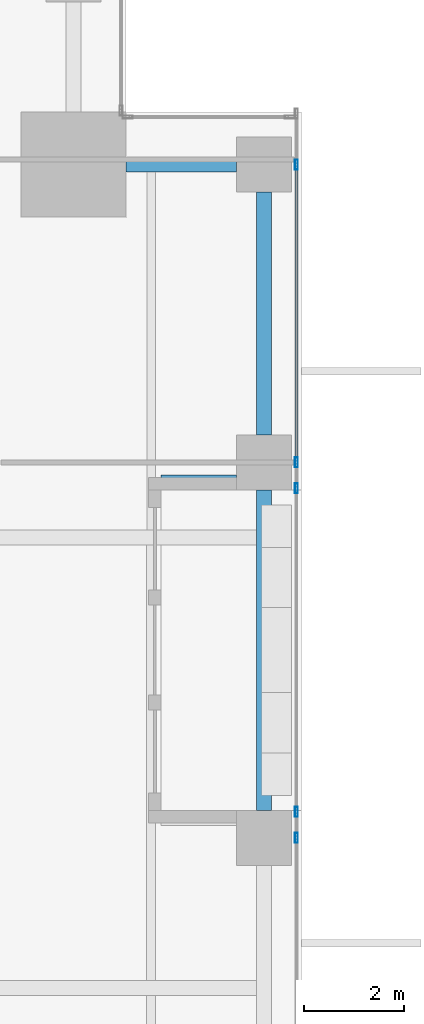
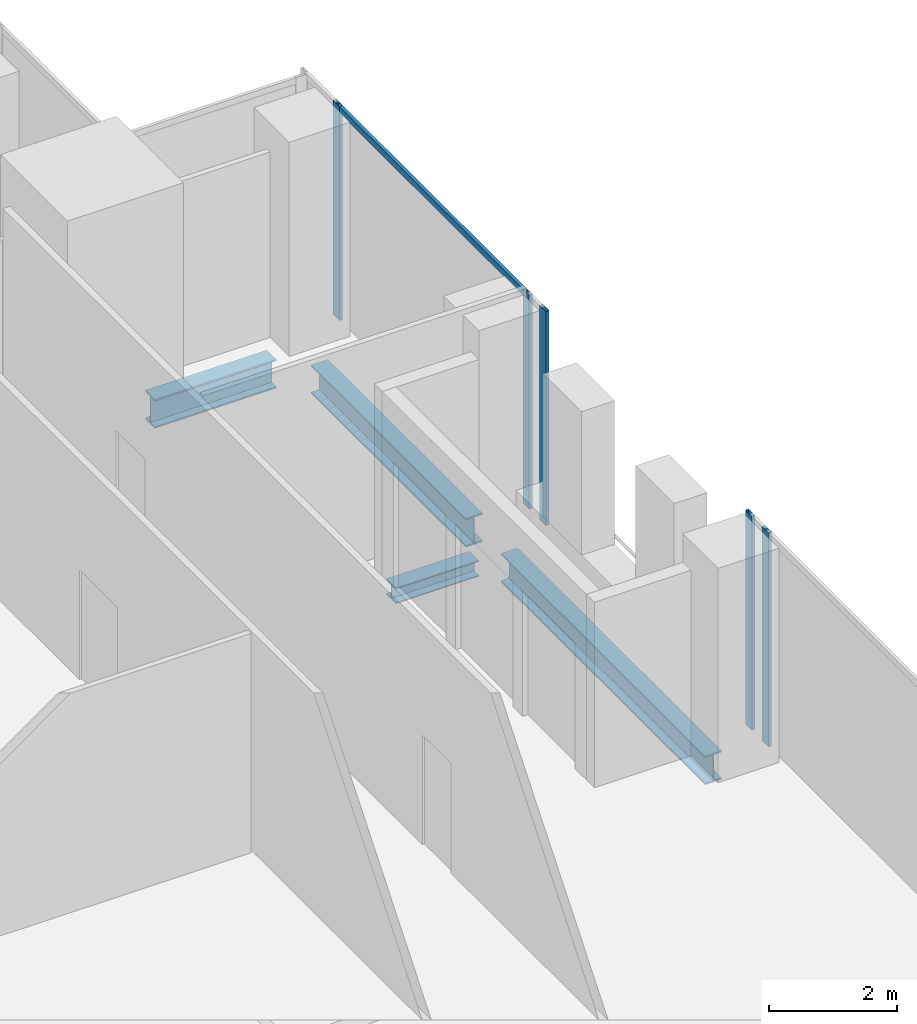
# One storey, part 20 of 35: 6 members, 4 beams, 2 elements without a shape of their own.
"""IFC4 building model written with IfcOpenShell, lengths in metres."""

from ifc_helpers import new_model, si_unit, direction, frame, origin, origin_2d, place, context, subcontext, project, spatial, hollow_rectangle, i_section, extrude, source, transform, mapped, material, material_profile, profile_set, type_object, element, aggregate, save


model = new_model("IFC4")

# Units and contexts
model_context = context("Model", 3, precision=1e-05, world=origin(), true_north=direction((0.0, 1.0)))
body_context = subcontext(model_context, "Body", "Model", "MODEL_VIEW")
ifc_project = project(units=[si_unit("LENGTHUNIT", "METRE"), si_unit("AREAUNIT", "SQUARE_METRE"), si_unit("VOLUMEUNIT", "CUBIC_METRE"), si_unit("PLANEANGLEUNIT", "RADIAN"), si_unit("MASSUNIT", "GRAM", prefix="KILO")], contexts=[model_context])

# Site, building, storey
site_placement = place(None, origin())
site = spatial("IfcSite", under=ifc_project, at=site_placement, CompositionType="ELEMENT")
building_placement = place(site_placement, origin())
building = spatial("IfcBuilding", under=site, at=building_placement, Name="Khomas Fold Tower", CompositionType="ELEMENT")
storey_placement = place(building_placement, frame((0.0, 0.0, 132.300048828125)))
storey = spatial("IfcBuildingStorey", under=building, at=storey_placement, Name="L28", CompositionType="ELEMENT", Elevation=132.300048828125)

# Beams
ifc_material_1 = material(Name="Steel S355", Category="steel")
ifc_material_profile_1 = material_profile(ifc_material_1, i_section(OverallWidth=0.300048828125, OverallDepth=0.550048828125, WebThickness=0.014892578125, FlangeThickness=0.029052734375, at=origin_2d()), Name="HE 550 B")
ifc_profile_set_1 = profile_set([ifc_material_profile_1], Name="Steel S355")
beam_type_1 = type_object("IfcBeamType", Name="HE 550 B spandrel SB2", PredefinedType="SPANDREL", material=ifc_profile_set_1)
shared_shape_1 = source(origin(), body_context, "Body", "SweptSolid", [
    extrude(i_section(OverallWidth=0.300048828125, OverallDepth=0.550048828125, WebThickness=0.014892578125, FlangeThickness=0.029052734375, at=origin_2d()), origin(), (0.0, 0.0, 1.0), 4.849853515625),
])
beam_1_placement = place(storey_placement, frame((51.75, 42.550048828125, -0.574951171875), z_axis=(0.0, 1.0, 0.0), x_axis=(-1.0, 0.0, 0.0)))
element("IfcBeam", 1, at=beam_1_placement, inside=storey, type_object=beam_type_1, Name="SB2", PredefinedType="SPANDREL", context=body_context, shape_type="MappedRepresentation", body=[
    mapped(shared_shape_1, transform((0.0, 0.0, 0.0))),
])
shared_shape_2 = source(origin(), body_context, "Body", "SweptSolid", [
    extrude(i_section(OverallWidth=0.300048828125, OverallDepth=0.550048828125, WebThickness=0.014892578125, FlangeThickness=0.029052734375, at=origin_2d()), origin(), (0.0, 0.0, 1.0), 6.39990234375),
])
beam_2_placement = place(storey_placement, frame((51.75, 35.050048828125, -0.574951171875), z_axis=(0.0, 1.0, 0.0), x_axis=(-1.0, 0.0, 0.0)))
element("IfcBeam", 2, at=beam_2_placement, inside=storey, type_object=beam_type_1, Name="SB2", PredefinedType="SPANDREL", context=body_context, shape_type="MappedRepresentation", body=[
    mapped(shared_shape_2, transform((0.0, 0.0, 0.0))),
])
shared_shape_3 = source(origin(), body_context, "Body", "SweptSolid", [
    extrude(i_section(OverallWidth=0.300048828125, OverallDepth=0.550048828125, WebThickness=0.014892578125, FlangeThickness=0.029052734375, at=origin_2d()), origin(), (0.0, 0.0, 1.0), 2.199951171875),
])
beam_3_placement = place(storey_placement, frame((49.0, 47.949951171875, -0.574951171875), z_axis=(1.0, 0.0, 0.0), x_axis=(0.0, 1.0, 0.0)))
element("IfcBeam", 3, at=beam_3_placement, inside=storey, type_object=beam_type_1, Name="SB2", PredefinedType="SPANDREL", context=body_context, shape_type="MappedRepresentation", body=[
    mapped(shared_shape_3, transform((0.0, 0.0, 0.0))),
])
ifc_material_2 = material(Name="Steel S355", Category="steel")
ifc_material_profile_2 = material_profile(ifc_material_2, i_section(OverallWidth=0.300048828125, OverallDepth=0.300048828125, WebThickness=0.010986328125, FlangeThickness=0.01904296875, at=origin_2d()), Name="HE 300 B")
ifc_profile_set_2 = profile_set([ifc_material_profile_2], Name="Steel S355")
beam_type_2 = type_object("IfcBeamType", Name="HE 300 B beam BB1", PredefinedType="BEAM", material=ifc_profile_set_2)
shared_shape_4 = source(origin(), body_context, "Body", "SweptSolid", [
    extrude(i_section(OverallWidth=0.300048828125, OverallDepth=0.300048828125, WebThickness=0.010986328125, FlangeThickness=0.01904296875, at=origin_2d()), origin(), (0.0, 0.0, 1.0), 1.5),
])
beam_4_placement = place(storey_placement, frame((49.699951171875, 41.60009765625, -0.449951171875), z_axis=(1.0, 0.0, 0.0), x_axis=(0.0, 1.0, 0.0)))
element("IfcBeam", 4, at=beam_4_placement, inside=storey, type_object=beam_type_2, Name="BB1", PredefinedType="BEAM", context=body_context, shape_type="MappedRepresentation", body=[
    mapped(shared_shape_4, transform((0.0, 0.0, 0.0))),
])

# Curtain wall, member
ifc_material_3 = material(Name="Aluminium framed double glazing", Category="aluminium")
curtain_wall_type = type_object("IfcCurtainWallType", Name="SK-Unitised clear-glass wall, growing floors CW1", PredefinedType="NOTDEFINED", material=ifc_material_3)
curtain_wall_1_placement = place(storey_placement, origin())
curtain_wall_1 = element("IfcCurtainWall", 5, at=curtain_wall_1_placement, inside=storey, type_object=curtain_wall_type, Name="CW1 run L28 03-1", PredefinedType="NOTDEFINED")
ifc_material_4 = material(Name="Aluminium", Category="aluminium")
ifc_material_profile_3 = material_profile(ifc_material_4, hollow_rectangle(XDim=0.06005859375, YDim=0.1201171875, WallThickness=0.00390625, at=origin_2d()), Name="SK-Unitised clear-glass wall, growing floors transom CW1-T")
ifc_profile_set_3 = profile_set([ifc_material_profile_3], Name="Aluminium")
member_type_1 = type_object("IfcMemberType", Name="SK-Unitised clear-glass wall, growing floors transom CW1-T", PredefinedType="USERDEFINED", material=ifc_profile_set_3)
shared_shape_5 = source(origin(), body_context, "Body", "SweptSolid", [
    extrude(hollow_rectangle(XDim=0.06005859375, YDim=0.1201171875, WallThickness=0.00390625, at=origin_2d()), origin(), (0.0, 0.0, 1.0), 5.889892578125),
])
member_1_placement = place(storey_placement, frame((52.39990234375, 42.030029296875, 4.0400390625), z_axis=(0.0, 1.0, 0.0), x_axis=(-1.0, 0.0, 0.0)))
member_1 = element("IfcMember", 6, at=member_1_placement, type_object=member_type_1, Name="CW1 transom 2", ObjectType="TRANSOM", PredefinedType="USERDEFINED", context=body_context, shape_type="MappedRepresentation", body=[
    mapped(shared_shape_5, transform((0.0, 0.0, 0.0))),
])

# Curtain wall, members
curtain_wall_2_placement = place(storey_placement, origin())
curtain_wall_2 = element("IfcCurtainWall", 7, at=curtain_wall_2_placement, inside=storey, type_object=curtain_wall_type, Name="CW1 run L28 03-0", PredefinedType="NOTDEFINED")
ifc_material_5 = material(Name="Aluminium", Category="aluminium")
ifc_material_profile_4 = material_profile(ifc_material_5, hollow_rectangle(XDim=0.06005859375, YDim=0.199951171875, WallThickness=0.00390625, at=origin_2d()), Name="SK-Unitised clear-glass wall, growing floors mullion CW1-M")
ifc_profile_set_4 = profile_set([ifc_material_profile_4], Name="Aluminium")
member_type_2 = type_object("IfcMemberType", Name="SK-Unitised clear-glass wall, growing floors mullion CW1-M", PredefinedType="MULLION", material=ifc_profile_set_4)
shared_shape_6 = source(origin(), body_context, "Body", "SweptSolid", [
    extrude(hollow_rectangle(XDim=0.06005859375, YDim=0.199951171875, WallThickness=0.00390625, at=origin_2d()), origin(), (0.0, 0.0, 1.0), 4.099853515625),
])
member_2_placement = place(storey_placement, frame((52.39990234375, 34.5, 0.0), z_axis=(0.0, 0.0, 1.0), x_axis=(-1.0, 0.0, 0.0)))
member_2 = element("IfcMember", 8, at=member_2_placement, type_object=member_type_2, Name="CW1 mullion 6", PredefinedType="MULLION", context=body_context, shape_type="MappedRepresentation", body=[
    mapped(shared_shape_6, transform((0.0, 0.0, 0.0))),
])
member_3_placement = place(storey_placement, frame((52.39990234375, 35.02001953125, 0.0), z_axis=(0.0, 0.0, 1.0), x_axis=(-1.0, 0.0, 0.0)))
member_3 = element("IfcMember", 9, at=member_3_placement, type_object=member_type_2, Name="CW1 mullion 7", PredefinedType="MULLION", context=body_context, shape_type="MappedRepresentation", body=[
    mapped(shared_shape_6, transform((0.0, 0.0, 0.0))),
])
aggregate(curtain_wall_2, [member_2, member_3])

# Member
member_4_placement = place(storey_placement, frame((52.39990234375, 41.47998046875, 0.0), z_axis=(0.0, 0.0, 1.0), x_axis=(-1.0, 0.0, 0.0)))
member_4 = element("IfcMember", 10, at=member_4_placement, type_object=member_type_2, Name="CW1 mullion 1", PredefinedType="MULLION", context=body_context, shape_type="MappedRepresentation", body=[
    mapped(shared_shape_6, transform((0.0, 0.0, 0.0))),
])

member_5_placement = place(storey_placement, frame((52.39990234375, 42.0, 0.0), z_axis=(0.0, 0.0, 1.0), x_axis=(-1.0, 0.0, 0.0)))
member_5 = element("IfcMember", 11, at=member_5_placement, type_object=member_type_2, Name="CW1 mullion 2", PredefinedType="MULLION", context=body_context, shape_type="MappedRepresentation", body=[
    mapped(shared_shape_6, transform((0.0, 0.0, 0.0))),
])

member_6_placement = place(storey_placement, frame((52.39990234375, 47.949951171875, 0.0), z_axis=(0.0, 0.0, 1.0), x_axis=(-1.0, 0.0, 0.0)))
member_6 = element("IfcMember", 12, at=member_6_placement, type_object=member_type_2, Name="CW1 mullion 3", PredefinedType="MULLION", context=body_context, shape_type="MappedRepresentation", body=[
    mapped(shared_shape_6, transform((0.0, 0.0, 0.0))),
])

aggregate(curtain_wall_1, [member_4, member_5, member_6, member_1])

save(model, "model.ifc")
